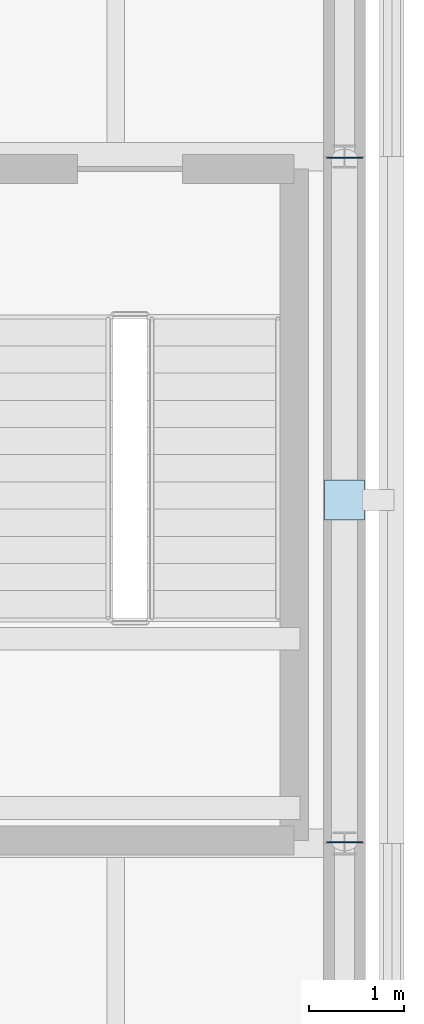
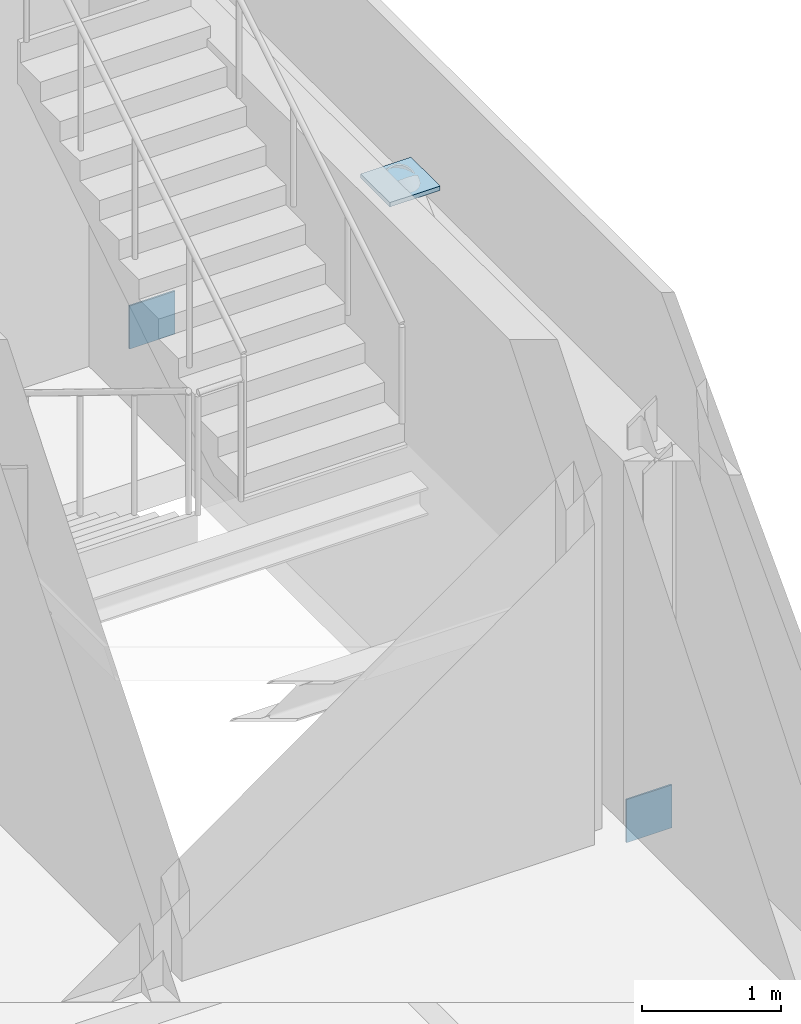
# One storey, part 63 of 115: 3 plates.
"""IFC4 building model written with IfcOpenShell, lengths in metres."""

from ifc_helpers import new_model, si_unit, direction, frame, origin, origin_2d, place, context, subcontext, project, spatial, rectangle, extrude, material, layer, layer_set, type_object, element, save


model = new_model("IFC4")

# Units and contexts
model_context = context("Model", 3, precision=1e-05, world=origin(), true_north=direction((0.0, 1.0)))
body_context = subcontext(model_context, "Body", "Model", "MODEL_VIEW")
ifc_project = project(units=[si_unit("LENGTHUNIT", "METRE"), si_unit("AREAUNIT", "SQUARE_METRE"), si_unit("VOLUMEUNIT", "CUBIC_METRE"), si_unit("PLANEANGLEUNIT", "RADIAN"), si_unit("MASSUNIT", "GRAM", prefix="KILO")], contexts=[model_context])

# Site, building, storey
site_placement = place(None, origin())
site = spatial("IfcSite", under=ifc_project, at=site_placement, CompositionType="ELEMENT")
building_placement = place(site_placement, origin())
building = spatial("IfcBuilding", under=site, at=building_placement, Name="Narikvali Park Central Library", CompositionType="ELEMENT")
storey_placement = place(building_placement, frame((0.0, 0.0, 10.199951171875)))
storey = spatial("IfcBuildingStorey", under=building, at=storey_placement, Name="L02", CompositionType="ELEMENT", Elevation=10.199951171875)

# Plates
ifc_material = material(Name="Steel S355", Category="steel")
ifc_layer_1 = layer(ifc_material, 0.013916015625, Name="Steel S355")
ifc_layer_set_1 = layer_set([ifc_layer_1], Name="Steel S355")
plate_type_1 = type_object("IfcPlateType", Name="Steel Hollow End Cap Plate 14", PredefinedType="SHEET", material=ifc_layer_set_1)
for number, where, z_axis, x_axis, name in (
    (1, (165.60009765625, 14.412109375, -0.177490234375), (0.0, 0.0, 1.0), (-1.0, 0.0, 0.0), "Hollow Section Steel End Cap BR-ECAP-6-L02-A0"),
    (2, (165.60009765625, 21.587890625, -0.177490234375), (0.0, 0.0, 1.0), (1.0, 0.0, 0.0), "Hollow Section Steel End Cap BR-ECAP-6-L02-B0"),
):
    element("IfcPlate", number, at=place(storey_placement, frame(where, z_axis=z_axis, x_axis=x_axis)), inside=storey, type_object=plate_type_1, Name=name, PredefinedType="SHEET", context=body_context, shape_type="SweptSolid", body=[
        extrude(rectangle(XDim=0.3798828125, YDim=0.013916015625, at=origin_2d()), origin(), (0.0, 0.0, 1.0), 0.3798828125),
    ])
ifc_layer_2 = layer(ifc_material, 0.0380859375, Name="Steel S355")
ifc_layer_set_2 = layer_set([ifc_layer_2], Name="Steel S355")
plate_type_2 = type_object("IfcPlateType", Name="Truss Splice Gusset Plate 38", PredefinedType="SHEET", material=ifc_layer_set_2)
plate_placement = place(storey_placement, frame((165.60009765625, 18.0, 3.381103515625), z_axis=(0.0, 0.0, 1.0), x_axis=(1.0, 0.0, 0.0)))
element("IfcPlate", 3, at=plate_placement, inside=storey, type_object=plate_type_2, Name="V6 L02 Chevron Apex Gusset Cap Plate", PredefinedType="SHEET", context=body_context, shape_type="SweptSolid", body=[
    extrude(rectangle(XDim=0.419921875, YDim=0.419921875, at=origin_2d()), origin(), (0.0, 0.0, 1.0), 0.0380859375),
])

save(model, "model.ifc")
